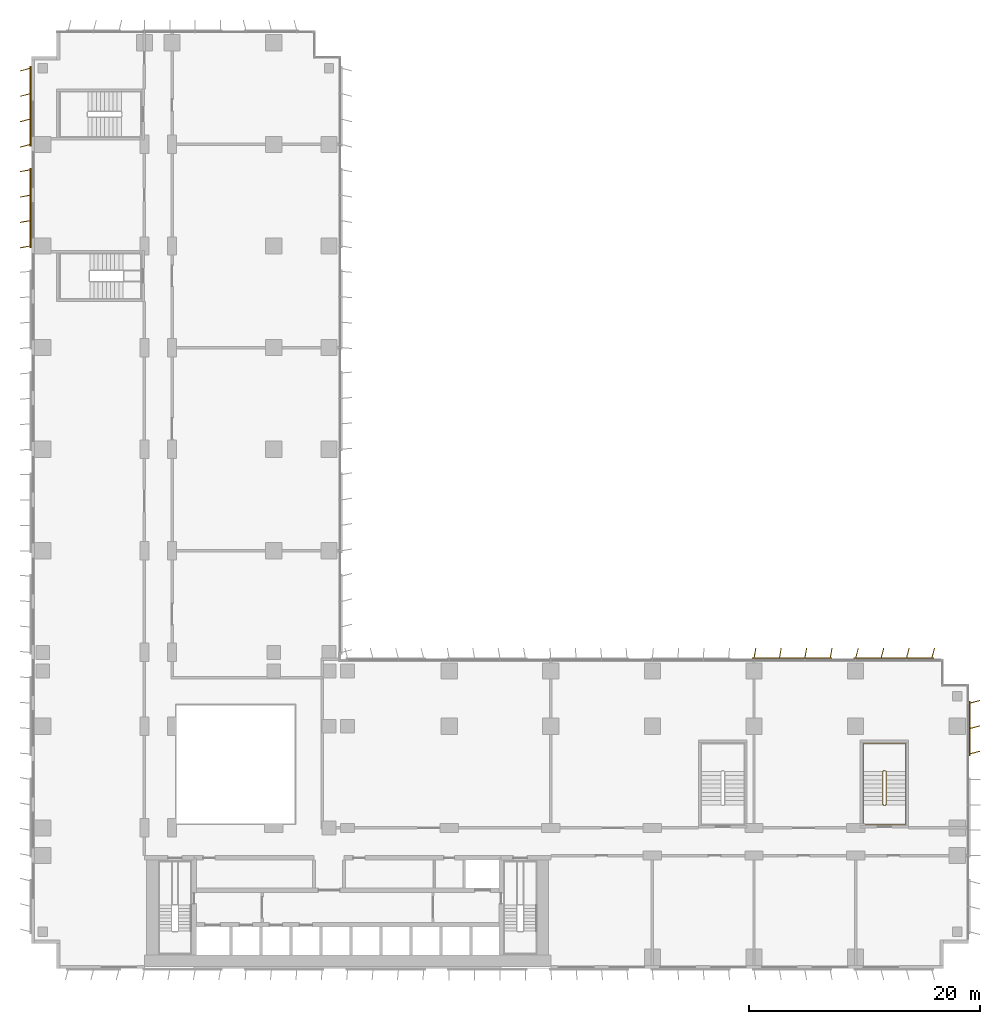
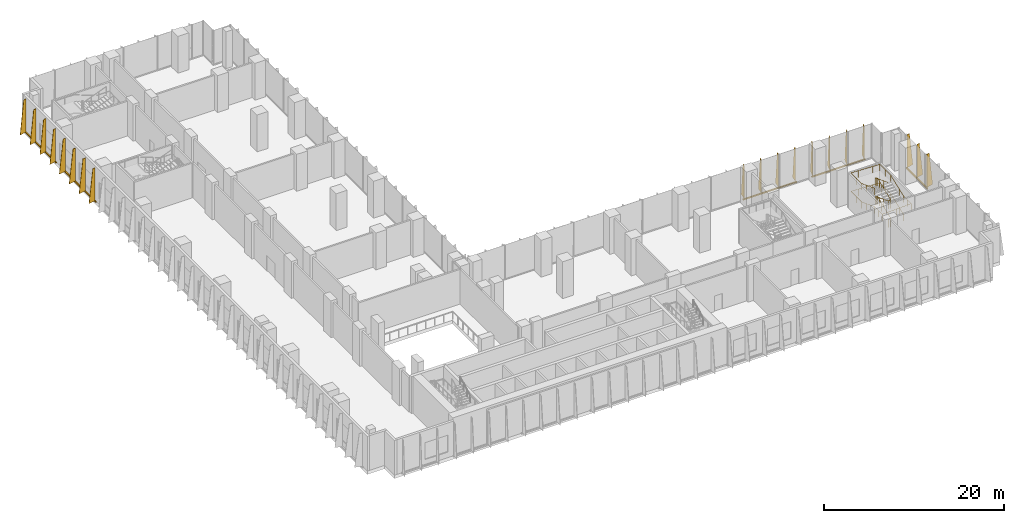
# One storey, part 22 of 23: 5 shading devices, 2 railings.
"""IFC4 building model written with IfcOpenShell, lengths in metres."""

import ifcopenshell
import ifcopenshell.guid

model = None  # the IFC model being written
_history = None  # IfcOwnerHistory: only IFC2X3 demands one
_inside = {}  # id of a spatial element -> (the spatial element, [elements in it])
_under = {}  # id of a project, library or spatial element -> (it, [spatial elements below it])
_declared = {}  # id of a project -> (the project, [libraries it declares])
_typed = {}  # id of a type object -> (the type object, [elements of that type])
_made_of = {}  # id of a material, layer set ... -> (it, [elements and type objects made of it])


def new_model(schema):
    """Start an empty IFC model of exactly this schema.

    Asked for "IFC4X3", IfcOpenShell would pick the latest addendum, in which some entities
    have other attributes; the version numbers below select the first issue.
    IFC2X3 requires an IfcOwnerHistory on every rooted entity: one is made here for all.
    """
    global model, _history
    if schema == "IFC4X3":
        model = ifcopenshell.file(schema_version=(4, 3, 0, 0))
    else:
        model = ifcopenshell.file(schema=schema)
    _inside.clear()
    _under.clear()
    _declared.clear()
    _typed.clear()
    _made_of.clear()
    _history = None
    if model.schema == "IFC2X3":
        org = make("IfcOrganization", Name="unknown")
        user = make(
            "IfcPersonAndOrganization",
            ThePerson=make("IfcPerson", FamilyName="unknown"),
            TheOrganization=org,
        )
        app = make(
            "IfcApplication",
            ApplicationDeveloper=org,
            Version="unknown",
            ApplicationFullName="unknown",
            ApplicationIdentifier="unknown",
        )
        _history = make(
            "IfcOwnerHistory",
            OwningUser=user,
            OwningApplication=app,
            ChangeAction="ADDED",
            CreationDate=0,
        )
    return model


def make(cls, **values):
    """One entity of the class cls with the attributes given. An attribute that is None is left unset."""
    return model.create_entity(
        cls, **{name: value for name, value in values.items() if value is not None}
    )


def rooted(cls, **values):
    """An entity with a GlobalId (a new one), such as an element, a storey or a relation."""
    return make(cls, GlobalId=ifcopenshell.guid.new(), OwnerHistory=_history, **values)


def si_unit(unit_type, name, prefix=None):
    """IfcSIUnit, for example si_unit("LENGTHUNIT", "METRE", prefix="MILLI")."""
    return make("IfcSIUnit", UnitType=unit_type, Prefix=prefix, Name=name)


def assignment(units):
    """IfcUnitAssignment: the units of a project."""
    return None if units is None else make("IfcUnitAssignment", Units=units)


def point(xyz):
    """IfcCartesianPoint."""
    return None if xyz is None else make("IfcCartesianPoint", Coordinates=xyz)


def direction(xyz):
    """IfcDirection."""
    return None if xyz is None else make("IfcDirection", DirectionRatios=xyz)


def frame(location, z_axis=None, x_axis=None):
    """IfcAxis2Placement3D, a coordinate frame: its origin and axes. An axis left out is left unset."""
    return make(
        "IfcAxis2Placement3D",
        Location=point(location),
        Axis=direction(z_axis),
        RefDirection=direction(x_axis),
    )


def frame_2d(location, x_axis=None):
    """IfcAxis2Placement2D, a coordinate frame in the plane: its origin and x axis."""
    return make(
        "IfcAxis2Placement2D", Location=point(location), RefDirection=direction(x_axis)
    )


def origin():
    """The frame at (0, 0, 0) with its axes left unset."""
    return frame((0.0, 0.0, 0.0))


def origin_2d():
    """The frame at (0, 0) in the plane with its x axis left unset."""
    return frame_2d((0.0, 0.0))


def place(relative_to, where):
    """IfcLocalPlacement: puts the frame where relative to a parent placement (None: the world)."""
    return make(
        "IfcLocalPlacement", PlacementRelTo=relative_to, RelativePlacement=where
    )


def context(
    kind, dimensions, precision=None, world=None, true_north=None, identifier=None
):
    """IfcGeometricRepresentationContext, for example the 3D "Model" context."""
    return make(
        "IfcGeometricRepresentationContext",
        ContextIdentifier=identifier,
        ContextType=kind,
        CoordinateSpaceDimension=dimensions,
        Precision=precision,
        WorldCoordinateSystem=world,
        TrueNorth=true_north,
    )


def subcontext(parent, identifier, kind, view, scale=None):
    """IfcGeometricRepresentationSubContext, for example "Body" below "Model"."""
    return make(
        "IfcGeometricRepresentationSubContext",
        ContextIdentifier=identifier,
        ContextType=kind,
        ParentContext=parent,
        TargetScale=scale,
        TargetView=view,
    )


def project(units=None, contexts=None):
    """IfcProject with its units and contexts."""
    return rooted(
        "IfcProject",
        Name="project",
        RepresentationContexts=contexts,
        UnitsInContext=assignment(units),
    )


def spatial(cls, under=None, at=None, **own):
    """A site, building, storey or space (cls), placed at a placement, below another one or the project."""
    s = rooted(cls, ObjectPlacement=at, **own)
    if under is not None:
        _under.setdefault(under.id(), (under, []))[1].append(s)
    return s


def polyline(points):
    """IfcPolyline through the points."""
    return make("IfcPolyline", Points=[point(p) for p in points])


def profile(cls, at=None, kind="AREA", **sizes):
    """A parametric profile (cls). Its sizes go by their IFC names, for example OverallWidth=200.0."""
    return make(cls, ProfileType=kind, Position=at, **sizes)


def rectangle(**sizes):
    """IfcRectangleProfileDef."""
    return profile("IfcRectangleProfileDef", **sizes)


def circle(**sizes):
    """IfcCircleProfileDef."""
    return profile("IfcCircleProfileDef", **sizes)


def outline(outer, holes=None, kind="AREA"):
    """IfcArbitraryClosedProfileDef: a profile drawn as a closed curve; with holes, ...WithVoids."""
    if holes is None:
        return make("IfcArbitraryClosedProfileDef", ProfileType=kind, OuterCurve=outer)
    return make(
        "IfcArbitraryProfileDefWithVoids",
        ProfileType=kind,
        OuterCurve=outer,
        InnerCurves=holes,
    )


def extrude(swept, where, along, depth):
    """IfcExtrudedAreaSolid: the profile swept, set in the frame where, extruded along a direction by depth."""
    return make(
        "IfcExtrudedAreaSolid",
        SweptArea=swept,
        Position=where,
        ExtrudedDirection=direction(along),
        Depth=depth,
    )


def shape(context_of_items, identifier, shape_type, items):
    """IfcShapeRepresentation: the items that make up one representation, for example the "Body"."""
    return make(
        "IfcShapeRepresentation",
        ContextOfItems=context_of_items,
        RepresentationIdentifier=identifier,
        RepresentationType=shape_type,
        Items=items,
    )


def source(mapping_origin, context_of_items, identifier, shape_type, items):
    """IfcRepresentationMap: a shape defined once, which mapped items show again and again."""
    return make(
        "IfcRepresentationMap",
        MappingOrigin=mapping_origin,
        MappedRepresentation=shape(context_of_items, identifier, shape_type, items),
    )


def transform(
    local_origin,
    x_axis=None,
    y_axis=None,
    z_axis=None,
    scale=None,
    scale2=None,
    scale3=None,
    uniform=True,
):
    """IfcCartesianTransformationOperator3D, or its non-uniform kind. x_axis, y_axis, z_axis: its Axis1, 2, 3."""
    if uniform:
        return make(
            "IfcCartesianTransformationOperator3D",
            Axis1=direction(x_axis),
            Axis2=direction(y_axis),
            LocalOrigin=point(local_origin),
            Scale=scale,
            Axis3=direction(z_axis),
        )
    return make(
        "IfcCartesianTransformationOperator3DnonUniform",
        Axis1=direction(x_axis),
        Axis2=direction(y_axis),
        LocalOrigin=point(local_origin),
        Scale=scale,
        Axis3=direction(z_axis),
        Scale2=scale2,
        Scale3=scale3,
    )


def mapped(mapping_source, mapping_target):
    """IfcMappedItem: shows the shape of a source again, moved by a transform."""
    return make(
        "IfcMappedItem", MappingSource=mapping_source, MappingTarget=mapping_target
    )


def material(Name=None, Category=None):
    """IfcMaterial."""
    return make("IfcMaterial", Name=Name, Category=Category)


def layer(
    of_material, thickness, ventilated=None, Name=None, Category=None, Priority=None
):
    """IfcMaterialLayer: one layer of a wall or slab, of a material (None: an air gap)."""
    return make(
        "IfcMaterialLayer",
        Material=of_material,
        LayerThickness=thickness,
        IsVentilated=ventilated,
        Name=Name,
        Category=Category,
        Priority=Priority,
    )


def layer_set(layers, Name=None):
    """IfcMaterialLayerSet."""
    return make("IfcMaterialLayerSet", MaterialLayers=layers, LayerSetName=Name)


def made_of(thing, what):
    """Note that an element or type object is made of a material, layer set ...; save() writes the relation."""
    if what is not None:
        _made_of.setdefault(what.id(), (what, []))[1].append(thing)
    return thing


def type_object(cls, material=None, **own):
    """A type object (cls), such as IfcWallType, which elements share."""
    return made_of(rooted(cls, **own), material)


def element(
    cls,
    number,
    at=None,
    inside=None,
    cuts=None,
    type_object=None,
    material=None,
    context=None,
    identifier="Body",
    shape_type=None,
    held_by="IfcProductDefinitionShape",
    body=None,
    shapes=None,
    **own,
):
    """One element of the class cls, such as IfcWall. Its Tag is "e" and its number.

    at: its placement. inside: the storey or other place that contains it. cuts: it is an
    opening in that element (IfcRelVoidsElement). A single representation is given by context,
    identifier, shape_type and body (its items); several are given by shapes. held_by: the class
    of the entity that holds the representations. save() writes the other relations.
    """
    e = rooted(cls, Tag="e%d" % number, ObjectPlacement=at, **own)
    if body is not None:
        shapes = [shape(context, identifier, shape_type, body)]
    if shapes is not None:
        e.Representation = make(held_by, Representations=shapes)
    if inside is not None:
        _inside.setdefault(inside.id(), (inside, []))[1].append(e)
    if cuts is not None:
        rooted(
            "IfcRelVoidsElement", RelatingBuildingElement=cuts, RelatedOpeningElement=e
        )
    if type_object is not None:
        _typed.setdefault(type_object.id(), (type_object, []))[1].append(e)
    return made_of(e, material)


def aggregate(whole, parts):
    """IfcRelAggregates: a whole, such as a stair, and the parts it consists of."""
    return rooted("IfcRelAggregates", RelatingObject=whole, RelatedObjects=parts)


def save(model, path):
    """Write the relations noted so far, then the file.

    IfcRelAggregates (storeys below a building ...), IfcRelContainedInSpatialStructure (elements
    in a storey), IfcRelDefinesByType, IfcRelAssociatesMaterial and IfcRelDeclares: one each for
    every whole, place, type object, material and project.
    """
    for whole, parts in _under.values():
        aggregate(whole, parts)
    for where, things in _inside.values():
        rooted(
            "IfcRelContainedInSpatialStructure",
            RelatedElements=things,
            RelatingStructure=where,
        )
    for kind, things in _typed.values():
        rooted("IfcRelDefinesByType", RelatedObjects=things, RelatingType=kind)
    for what, things in _made_of.values():
        rooted("IfcRelAssociatesMaterial", RelatedObjects=things, RelatingMaterial=what)
    for by, libraries in _declared.values():
        rooted("IfcRelDeclares", RelatingContext=by, RelatedDefinitions=libraries)
    model.write(path)


model = new_model("IFC4")

# Units and contexts
model_context = context("Model", 3, precision=1e-05, world=origin(), true_north=direction((0.0, 1.0)))
body_context = subcontext(model_context, "Body", "Model", "MODEL_VIEW")
ifc_project = project(units=[si_unit("LENGTHUNIT", "METRE"), si_unit("AREAUNIT", "SQUARE_METRE"), si_unit("VOLUMEUNIT", "CUBIC_METRE"), si_unit("PLANEANGLEUNIT", "RADIAN"), si_unit("MASSUNIT", "GRAM", prefix="KILO")], contexts=[model_context])

# Site, building, storey
site_placement = place(None, origin())
site = spatial("IfcSite", under=ifc_project, at=site_placement, CompositionType="ELEMENT")
building_placement = place(site_placement, origin())
building = spatial("IfcBuilding", under=site, at=building_placement, Name="Kemantara Hotel Tower", CompositionType="ELEMENT")
storey_placement = place(building_placement, frame((0.0, 0.0, 71.0)))
storey = spatial("IfcBuildingStorey", under=building, at=storey_placement, Name="L16", CompositionType="ELEMENT", Elevation=71.0)

# Railings
ifc_material_1 = material(Name="Stainless steel balustrade", Category="steel")
railing_type_1 = type_object("IfcRailingType", Name="Stair guard 1100 mm", PredefinedType="GUARDRAIL", material=ifc_material_1)
railing_1_placement = place(storey_placement, frame((73.75, 14.199951171875, 5.0)))
element("IfcRailing", 1, at=railing_1_placement, inside=storey, type_object=railing_type_1, Name="L16 ST5 stair guard 1", PredefinedType="GUARDRAIL", context=body_context, shape_type="SweptSolid", body=[
    extrude(circle(Radius=0.02392578125, at=origin_2d()), frame((0.0, 0.0, 1.076171875), z_axis=(0.0, 0.932982310422, -0.359922225543), x_axis=(-1.0, 0.0, 0.0)), (0.0, 0.0, 1.0), 3.0869140625),
    extrude(circle(Radius=0.02392578125, at=origin_2d()), frame((0.0, 2.880126953125, -0.03515625), z_axis=(0.321175406682, 0.319608697381, -0.891457592206), x_axis=(-0.705375805398, 0.708833529934, 0.0)), (0.0, 0.0, 1.0), 0.15576171875),
    extrude(circle(Radius=0.02392578125, at=origin_2d()), frame((0.050048828125, 2.929931640625, -0.173828125), z_axis=(1.0, 0.0, 0.0), x_axis=(0.0, 1.0, 0.0)), (0.0, 0.0, 1.0), 0.199951171875),
    extrude(circle(Radius=0.02392578125, at=origin_2d()), frame((0.25, 2.929931640625, -0.173828125), z_axis=(0.708833529934, -0.705375805398, 0.0), x_axis=(0.705375805398, 0.708833529934, 0.0)), (0.0, 0.0, 1.0), 0.070556640625),
    extrude(circle(Radius=0.02392578125, at=origin_2d()), frame((0.300048828125, 2.880126953125, -0.173828125), z_axis=(0.0, -0.932982310422, -0.359922225543), x_axis=(1.0, 0.0, 0.0)), (0.0, 0.0, 1.0), 3.0869140625),
    extrude(circle(Radius=0.02392578125, at=origin_2d()), frame((0.300048828125, 0.0, -1.28515625), z_axis=(-0.861032742868, -0.172374719031, -0.478444951847), x_axis=(0.196300278283, -0.98054382908, 0.0)), (0.0, 0.0, 1.0), 0.290283203125),
    extrude(circle(Radius=0.02392578125, at=origin_2d()), frame((0.050048828125, -0.050048828125, -1.423828125), z_axis=(1.0, 0.0, 0.0), x_axis=(0.0, 1.0, 0.0)), (0.0, 0.0, 1.0), 0.199951171875),
    extrude(circle(Radius=0.02392578125, at=origin_2d()), frame((0.25, -0.050048828125, -1.423828125), z_axis=(-0.98054382908, 0.196300278283, 0.0), x_axis=(-0.196300278283, -0.98054382908, 0.0)), (0.0, 0.0, 1.0), 0.2548828125),
    extrude(circle(Radius=0.02392578125, at=origin_2d()), frame((0.0, 0.0, -1.423828125), z_axis=(0.0, 0.932982310422, -0.359922225543), x_axis=(-1.0, 0.0, 0.0)), (0.0, 0.0, 1.0), 3.0869140625),
    extrude(circle(Radius=0.02392578125, at=origin_2d()), frame((0.0, 2.880126953125, -2.53515625), z_axis=(0.321175406682, 0.319608697381, -0.891457592206), x_axis=(-0.705375805398, 0.708833529934, 0.0)), (0.0, 0.0, 1.0), 0.15576171875),
    extrude(circle(Radius=0.02392578125, at=origin_2d()), frame((0.050048828125, 2.929931640625, -2.673828125), z_axis=(1.0, 0.0, 0.0), x_axis=(0.0, 1.0, 0.0)), (0.0, 0.0, 1.0), 0.199951171875),
    extrude(circle(Radius=0.02392578125, at=origin_2d()), frame((0.25, 2.929931640625, -2.673828125), z_axis=(0.708833529934, -0.705375805398, 0.0), x_axis=(0.705375805398, 0.708833529934, 0.0)), (0.0, 0.0, 1.0), 0.070556640625),
    extrude(circle(Radius=0.02392578125, at=origin_2d()), frame((0.300048828125, 2.880126953125, -2.673828125), z_axis=(0.0, -0.932982310422, -0.359922225543), x_axis=(1.0, 0.0, 0.0)), (0.0, 0.0, 1.0), 3.0869140625),
    extrude(circle(Radius=0.02392578125, at=origin_2d()), frame((0.300048828125, 0.0, -3.78515625), z_axis=(-0.321014310373, -0.321014310373, -0.891010451718), x_axis=(0.707106781187, -0.707106781187, 0.0)), (0.0, 0.0, 1.0), 0.156005859375),
    extrude(circle(Radius=0.02392578125, at=origin_2d()), frame((0.25, -0.050048828125, -3.923828125), z_axis=(-1.0, 0.0, 0.0), x_axis=(0.0, -1.0, 0.0)), (0.0, 0.0, 1.0), 0.199951171875),
    extrude(circle(Radius=0.02099609375, at=origin_2d()), origin(), (0.0, 0.0, 1.0), 1.052001953125),
    extrude(circle(Radius=0.02099609375, at=origin_2d()), frame((0.0, 0.9599609375, -0.370361328125)), (0.0, 0.0, 1.0), 1.052001953125),
    extrude(circle(Radius=0.02099609375, at=origin_2d()), frame((0.0, 1.920166015625, -0.74072265625)), (0.0, 0.0, 1.0), 1.052001953125),
    extrude(circle(Radius=0.02099609375, at=origin_2d()), frame((0.0, 2.880126953125, -1.111083984375)), (0.0, 0.0, 1.0), 1.052001953125),
    extrude(circle(Radius=0.02099609375, at=origin_2d()), frame((0.050048828125, 2.929931640625, -1.25)), (0.0, 0.0, 1.0), 1.052001953125),
    extrude(circle(Radius=0.02099609375, at=origin_2d()), frame((0.25, 2.929931640625, -1.25)), (0.0, 0.0, 1.0), 1.052001953125),
    extrude(circle(Radius=0.02099609375, at=origin_2d()), frame((0.300048828125, 2.880126953125, -1.25)), (0.0, 0.0, 1.0), 1.052001953125),
    extrude(circle(Radius=0.02099609375, at=origin_2d()), frame((0.300048828125, 1.920166015625, -1.620361328125)), (0.0, 0.0, 1.0), 1.052001953125),
    extrude(circle(Radius=0.02099609375, at=origin_2d()), frame((0.300048828125, 0.9599609375, -1.99072265625)), (0.0, 0.0, 1.0), 1.052001953125),
    extrude(circle(Radius=0.02099609375, at=origin_2d()), frame((0.300048828125, 0.0, -2.361083984375)), (0.0, 0.0, 1.0), 1.052001953125),
    extrude(circle(Radius=0.02099609375, at=origin_2d()), frame((0.050048828125, -0.050048828125, -2.5)), (0.0, 0.0, 1.0), 1.052001953125),
    extrude(circle(Radius=0.02099609375, at=origin_2d()), frame((0.25, -0.050048828125, -2.5)), (0.0, 0.0, 1.0), 1.052001953125),
    extrude(circle(Radius=0.02099609375, at=origin_2d()), frame((0.0, 0.0, -2.5)), (0.0, 0.0, 1.0), 1.052001953125),
    extrude(circle(Radius=0.02099609375, at=origin_2d()), frame((0.0, 0.9599609375, -2.870361328125)), (0.0, 0.0, 1.0), 1.052001953125),
    extrude(circle(Radius=0.02099609375, at=origin_2d()), frame((0.0, 1.920166015625, -3.24072265625)), (0.0, 0.0, 1.0), 1.052001953125),
    extrude(circle(Radius=0.02099609375, at=origin_2d()), frame((0.0, 2.880126953125, -3.611083984375)), (0.0, 0.0, 1.0), 1.052001953125),
    extrude(circle(Radius=0.02099609375, at=origin_2d()), frame((0.050048828125, 2.929931640625, -3.75)), (0.0, 0.0, 1.0), 1.052001953125),
    extrude(circle(Radius=0.02099609375, at=origin_2d()), frame((0.25, 2.929931640625, -3.75)), (0.0, 0.0, 1.0), 1.052001953125),
    extrude(circle(Radius=0.02099609375, at=origin_2d()), frame((0.300048828125, 2.880126953125, -3.75)), (0.0, 0.0, 1.0), 1.052001953125),
    extrude(circle(Radius=0.02099609375, at=origin_2d()), frame((0.300048828125, 1.920166015625, -4.120361328125)), (0.0, 0.0, 1.0), 1.052001953125),
    extrude(circle(Radius=0.02099609375, at=origin_2d()), frame((0.300048828125, 0.9599609375, -4.49072265625)), (0.0, 0.0, 1.0), 1.052001953125),
    extrude(circle(Radius=0.02099609375, at=origin_2d()), frame((0.300048828125, 0.0, -4.861083984375)), (0.0, 0.0, 1.0), 1.052001953125),
    extrude(circle(Radius=0.02099609375, at=origin_2d()), frame((0.25, -0.050048828125, -5.0)), (0.0, 0.0, 1.0), 1.052001953125),
    extrude(circle(Radius=0.02099609375, at=origin_2d()), frame((0.050048828125, -0.050048828125, -5.0)), (0.0, 0.0, 1.0), 1.052001953125),
])
railing_type_2 = type_object("IfcRailingType", Name="Stair handrail 900 mm", PredefinedType="HANDRAIL", material=ifc_material_1)
railing_2_placement = place(storey_placement, frame((75.75, 14.199951171875, 0.138916015625)))
element("IfcRailing", 2, at=railing_2_placement, inside=storey, type_object=railing_type_2, Name="L16 ST5 stair handrail 1", PredefinedType="HANDRAIL", context=body_context, shape_type="SweptSolid", body=[
    extrude(circle(Radius=0.02392578125, at=origin_2d()), frame((0.0, 0.0, 0.8759765625), z_axis=(0.0, 0.932982310422, 0.359922225543), x_axis=(-1.0, 0.0, 0.0)), (0.0, 0.0, 1.0), 3.0869140625),
    extrude(circle(Radius=0.02392578125, at=origin_2d()), frame((0.0, 2.880126953125, 1.98681640625), z_axis=(0.0, 1.0, 0.0), x_axis=(-1.0, 0.0, 0.0)), (0.0, 0.0, 1.0), 2.39990234375),
    extrude(circle(Radius=0.02392578125, at=origin_2d()), frame((0.0, 5.280029296875, 1.98681640625), z_axis=(-0.999295917098, 0.0, 0.037518929517), x_axis=(0.0, -1.0, 0.0)), (0.0, 0.0, 1.0), 3.70263671875),
    extrude(circle(Radius=0.02392578125, at=origin_2d()), frame((-3.699951171875, 5.280029296875, 2.1259765625), z_axis=(0.0, -1.0, 0.0), x_axis=(1.0, 0.0, 0.0)), (0.0, 0.0, 1.0), 2.39990234375),
    extrude(circle(Radius=0.02392578125, at=origin_2d()), frame((-3.699951171875, 2.880126953125, 2.1259765625), z_axis=(0.0, -0.932982310422, 0.359922225543), x_axis=(1.0, 0.0, 0.0)), (0.0, 0.0, 1.0), 3.0869140625),
    extrude(circle(Radius=0.02392578125, at=origin_2d()), frame((-3.699951171875, 0.0, 3.23681640625), z_axis=(0.0, -1.0, 0.0), x_axis=(1.0, 0.0, 0.0)), (0.0, 0.0, 1.0), 1.679931640625),
    extrude(circle(Radius=0.02392578125, at=origin_2d()), frame((-3.699951171875, -1.679931640625, 3.23681640625), z_axis=(0.999295917098, 0.0, 0.037518929517), x_axis=(0.0, 1.0, 0.0)), (0.0, 0.0, 1.0), 3.70263671875),
    extrude(circle(Radius=0.02392578125, at=origin_2d()), frame((0.0, -1.679931640625, 3.3759765625), z_axis=(0.0, 1.0, 0.0), x_axis=(-1.0, 0.0, 0.0)), (0.0, 0.0, 1.0), 1.679931640625),
    extrude(circle(Radius=0.02392578125, at=origin_2d()), frame((0.0, 0.0, 3.3759765625), z_axis=(0.0, 0.932982310422, 0.359922225543), x_axis=(-1.0, 0.0, 0.0)), (0.0, 0.0, 1.0), 3.0869140625),
    extrude(circle(Radius=0.02392578125, at=origin_2d()), frame((0.0, 2.880126953125, 4.48681640625), z_axis=(0.0, 1.0, 0.0), x_axis=(-1.0, 0.0, 0.0)), (0.0, 0.0, 1.0), 2.39990234375),
    extrude(circle(Radius=0.02392578125, at=origin_2d()), frame((0.0, 5.280029296875, 4.48681640625), z_axis=(-0.999295917098, 0.0, 0.037518929517), x_axis=(0.0, -1.0, 0.0)), (0.0, 0.0, 1.0), 3.70263671875),
    extrude(circle(Radius=0.02392578125, at=origin_2d()), frame((-3.699951171875, 5.280029296875, 4.6259765625), z_axis=(0.0, -1.0, 0.0), x_axis=(1.0, 0.0, 0.0)), (0.0, 0.0, 1.0), 2.39990234375),
    extrude(circle(Radius=0.02392578125, at=origin_2d()), frame((-3.699951171875, 2.880126953125, 4.6259765625), z_axis=(0.0, -0.932982310422, 0.359922225543), x_axis=(1.0, 0.0, 0.0)), (0.0, 0.0, 1.0), 3.0869140625),
    extrude(circle(Radius=0.02099609375, at=origin_2d()), origin(), (0.0, 0.0, 1.0), 0.851806640625),
    extrude(circle(Radius=0.02099609375, at=origin_2d()), frame((0.0, 0.9599609375, 0.370361328125)), (0.0, 0.0, 1.0), 0.851806640625),
    extrude(circle(Radius=0.02099609375, at=origin_2d()), frame((0.0, 1.920166015625, 0.74072265625)), (0.0, 0.0, 1.0), 0.851806640625),
    extrude(circle(Radius=0.02099609375, at=origin_2d()), frame((0.0, 2.880126953125, 1.111083984375)), (0.0, 0.0, 1.0), 0.851806640625),
    extrude(circle(Radius=0.02099609375, at=origin_2d()), frame((0.0, 4.080078125, 1.111083984375)), (0.0, 0.0, 1.0), 0.851806640625),
    extrude(circle(Radius=0.02099609375, at=origin_2d()), frame((0.0, 5.280029296875, 1.111083984375)), (0.0, 0.0, 1.0), 0.851806640625),
    extrude(circle(Radius=0.02099609375, at=origin_2d()), frame((-0.925048828125, 5.280029296875, 1.145751953125)), (0.0, 0.0, 1.0), 0.851806640625),
    extrude(circle(Radius=0.02099609375, at=origin_2d()), frame((-1.85009765625, 5.280029296875, 1.1806640625)), (0.0, 0.0, 1.0), 0.851806640625),
    extrude(circle(Radius=0.02099609375, at=origin_2d()), frame((-2.77490234375, 5.280029296875, 1.21533203125)), (0.0, 0.0, 1.0), 0.851806640625),
    extrude(circle(Radius=0.02099609375, at=origin_2d()), frame((-3.699951171875, 5.280029296875, 1.25)), (0.0, 0.0, 1.0), 0.851806640625),
    extrude(circle(Radius=0.02099609375, at=origin_2d()), frame((-3.699951171875, 4.080078125, 1.25)), (0.0, 0.0, 1.0), 0.851806640625),
    extrude(circle(Radius=0.02099609375, at=origin_2d()), frame((-3.699951171875, 2.880126953125, 1.25)), (0.0, 0.0, 1.0), 0.851806640625),
    extrude(circle(Radius=0.02099609375, at=origin_2d()), frame((-3.699951171875, 1.920166015625, 1.620361328125)), (0.0, 0.0, 1.0), 0.851806640625),
    extrude(circle(Radius=0.02099609375, at=origin_2d()), frame((-3.699951171875, 0.9599609375, 1.99072265625)), (0.0, 0.0, 1.0), 0.851806640625),
    extrude(circle(Radius=0.02099609375, at=origin_2d()), frame((-3.699951171875, 0.0, 2.361083984375)), (0.0, 0.0, 1.0), 0.851806640625),
    extrude(circle(Radius=0.02099609375, at=origin_2d()), frame((-3.699951171875, -0.83984375, 2.361083984375)), (0.0, 0.0, 1.0), 0.851806640625),
    extrude(circle(Radius=0.02099609375, at=origin_2d()), frame((-3.699951171875, -1.679931640625, 2.361083984375)), (0.0, 0.0, 1.0), 0.851806640625),
    extrude(circle(Radius=0.02099609375, at=origin_2d()), frame((-2.77490234375, -1.679931640625, 2.395751953125)), (0.0, 0.0, 1.0), 0.851806640625),
    extrude(circle(Radius=0.02099609375, at=origin_2d()), frame((-1.85009765625, -1.679931640625, 2.4306640625)), (0.0, 0.0, 1.0), 0.851806640625),
    extrude(circle(Radius=0.02099609375, at=origin_2d()), frame((-0.925048828125, -1.679931640625, 2.46533203125)), (0.0, 0.0, 1.0), 0.851806640625),
    extrude(circle(Radius=0.02099609375, at=origin_2d()), frame((0.0, -1.679931640625, 2.5)), (0.0, 0.0, 1.0), 0.851806640625),
    extrude(circle(Radius=0.02099609375, at=origin_2d()), frame((0.0, -0.83984375, 2.5)), (0.0, 0.0, 1.0), 0.851806640625),
    extrude(circle(Radius=0.02099609375, at=origin_2d()), frame((0.0, 0.0, 2.5)), (0.0, 0.0, 1.0), 0.851806640625),
    extrude(circle(Radius=0.02099609375, at=origin_2d()), frame((0.0, 0.9599609375, 2.870361328125)), (0.0, 0.0, 1.0), 0.851806640625),
    extrude(circle(Radius=0.02099609375, at=origin_2d()), frame((0.0, 1.920166015625, 3.24072265625)), (0.0, 0.0, 1.0), 0.851806640625),
    extrude(circle(Radius=0.02099609375, at=origin_2d()), frame((0.0, 2.880126953125, 3.611083984375)), (0.0, 0.0, 1.0), 0.851806640625),
    extrude(circle(Radius=0.02099609375, at=origin_2d()), frame((0.0, 4.080078125, 3.611083984375)), (0.0, 0.0, 1.0), 0.851806640625),
    extrude(circle(Radius=0.02099609375, at=origin_2d()), frame((0.0, 5.280029296875, 3.611083984375)), (0.0, 0.0, 1.0), 0.851806640625),
    extrude(circle(Radius=0.02099609375, at=origin_2d()), frame((-0.925048828125, 5.280029296875, 3.645751953125)), (0.0, 0.0, 1.0), 0.851806640625),
    extrude(circle(Radius=0.02099609375, at=origin_2d()), frame((-1.85009765625, 5.280029296875, 3.6806640625)), (0.0, 0.0, 1.0), 0.851806640625),
    extrude(circle(Radius=0.02099609375, at=origin_2d()), frame((-2.77490234375, 5.280029296875, 3.71533203125)), (0.0, 0.0, 1.0), 0.851806640625),
    extrude(circle(Radius=0.02099609375, at=origin_2d()), frame((-3.699951171875, 5.280029296875, 3.75)), (0.0, 0.0, 1.0), 0.851806640625),
    extrude(circle(Radius=0.02099609375, at=origin_2d()), frame((-3.699951171875, 4.080078125, 3.75)), (0.0, 0.0, 1.0), 0.851806640625),
    extrude(circle(Radius=0.02099609375, at=origin_2d()), frame((-3.699951171875, 2.880126953125, 3.75)), (0.0, 0.0, 1.0), 0.851806640625),
    extrude(circle(Radius=0.02099609375, at=origin_2d()), frame((-3.699951171875, 1.920166015625, 4.120361328125)), (0.0, 0.0, 1.0), 0.851806640625),
    extrude(circle(Radius=0.02099609375, at=origin_2d()), frame((-3.699951171875, 0.9599609375, 4.49072265625)), (0.0, 0.0, 1.0), 0.851806640625),
    extrude(circle(Radius=0.02099609375, at=origin_2d()), frame((-3.699951171875, 0.0, 4.861083984375)), (0.0, 0.0, 1.0), 0.851806640625),
])

# Shading devices
ifc_material_2 = material(Name="Perforated aluminium plate 4 mm bronze anodised", Category="aluminium")
ifc_layer_1 = layer(ifc_material_2, 0.0400390625)
ifc_layer_set_1 = layer_set([ifc_layer_1], Name="Perforated aluminium plate 4 mm bronze anodised")
shading_device_type_1 = type_object("IfcShadingDeviceType", Name="SCREEN FIN CASSETTE, 4 BLADES AT -10.0 DEG, 4500 HIGH", PredefinedType="USERDEFINED", material=ifc_layer_set_1)
shared_shape_1 = source(origin(), body_context, "Body", "SweptSolid", [
    extrude(rectangle(XDim=6.89990234375, YDim=0.14990234375, at=origin_2d()), frame((3.300048828125, -0.074951171875, -0.14990234375), z_axis=(0.0, 0.0, 1.0), x_axis=(1.0, 0.0, 0.0)), (0.0, 0.0, 1.0), 0.14990234375),
    extrude(outline(polyline([(0.0, 0.0), (0.89990234375, 0.0), (0.35009765625, 4.5), (0.0, 4.5), (0.0, 0.0)])), frame((0.019775390625, -0.078369140625, 0.0), z_axis=(-0.985389793052, 0.170314285219, 0.0), x_axis=(-0.170314285219, -0.985389793052, 0.0)), (0.0, 0.0, 1.0), 0.0400390625),
    extrude(outline(polyline([(0.0, 0.0), (0.89990234375, 0.0), (0.35009765625, 4.5), (0.0, 4.5), (0.0, 0.0)])), frame((2.2197265625, -0.078369140625, 0.0), z_axis=(-0.98521175482, 0.171341174751, 0.0), x_axis=(-0.171341174751, -0.98521175482, 0.0)), (0.0, 0.0, 1.0), 0.039794921875),
    extrude(outline(polyline([(0.0, 0.0), (0.89990234375, 0.0), (0.35009765625, 4.5), (0.0, 4.5), (0.0, 0.0)])), frame((4.419677734375, -0.078369140625, 0.0), z_axis=(-0.98521175482, 0.171341174751, 0.0), x_axis=(-0.171341174751, -0.98521175482, 0.0)), (0.0, 0.0, 1.0), 0.039794921875),
    extrude(outline(polyline([(0.0, 0.0), (0.89990234375, 0.0), (0.35009765625, 4.5), (0.0, 4.5), (0.0, 0.0)])), frame((6.61962890625, -0.078369140625, 0.0), z_axis=(-0.98521175482, 0.171341174751, 0.0), x_axis=(-0.171341174751, -0.98521175482, 0.0)), (0.0, 0.0, 1.0), 0.039794921875),
])
shading_device_1_placement = place(storey_placement, frame((69.199951171875, 26.800048828125, 0.10009765625), z_axis=(0.0, 0.0, 1.0), x_axis=(-1.0, 0.0, 0.0)))
element("IfcShadingDevice", 3, at=shading_device_1_placement, inside=storey, type_object=shading_device_type_1, Name="SCREEN FIN CASSETTE L16 T1-R07-2", ObjectType="SCREEN FIN", PredefinedType="USERDEFINED", context=body_context, shape_type="MappedRepresentation", body=[
    mapped(shared_shape_1, transform((0.0, 0.0, 0.0))),
])
ifc_layer_2 = layer(ifc_material_2, 0.0400390625)
ifc_layer_set_2 = layer_set([ifc_layer_2], Name="Perforated aluminium plate 4 mm bronze anodised")
shading_device_type_2 = type_object("IfcShadingDeviceType", Name="SCREEN FIN CASSETTE, 4 BLADES AT +10.0 DEG, 4500 HIGH", PredefinedType="USERDEFINED", material=ifc_layer_set_2)
shared_shape_2 = source(origin(), body_context, "Body", "SweptSolid", [
    extrude(rectangle(XDim=6.89990234375, YDim=0.14990234375, at=origin_2d()), frame((3.300048828125, -0.074951171875, -0.14990234375), z_axis=(0.0, 0.0, 1.0), x_axis=(1.0, 0.0, 0.0)), (0.0, 0.0, 1.0), 0.14990234375),
    extrude(outline(polyline([(0.0, 0.0), (0.89990234375, 0.0), (0.35009765625, 4.5), (0.0, 4.5), (0.0, 0.0)])), frame((0.019775390625, -0.071533203125, 0.0), z_axis=(-0.985389793052, -0.170314285219, 0.0), x_axis=(0.170314285219, -0.985389793052, 0.0)), (0.0, 0.0, 1.0), 0.0400390625),
    extrude(outline(polyline([(0.0, 0.0), (0.89990234375, 0.0), (0.35009765625, 4.5), (0.0, 4.5), (0.0, 0.0)])), frame((2.2197265625, -0.071533203125, 0.0), z_axis=(-0.98521175482, -0.171341174751, 0.0), x_axis=(0.171341174751, -0.98521175482, 0.0)), (0.0, 0.0, 1.0), 0.039794921875),
    extrude(outline(polyline([(0.0, 0.0), (0.89990234375, 0.0), (0.35009765625, 4.5), (0.0, 4.5), (0.0, 0.0)])), frame((4.419677734375, -0.071533203125, 0.0), z_axis=(-0.98521175482, -0.171341174751, 0.0), x_axis=(0.171341174751, -0.98521175482, 0.0)), (0.0, 0.0, 1.0), 0.039794921875),
    extrude(outline(polyline([(0.0, 0.0), (0.89990234375, 0.0), (0.35009765625, 4.5), (0.0, 4.5), (0.0, 0.0)])), frame((6.61962890625, -0.071533203125, 0.0), z_axis=(-0.98521175482, -0.171341174751, 0.0), x_axis=(0.171341174751, -0.98521175482, 0.0)), (0.0, 0.0, 1.0), 0.039794921875),
])
shading_device_2_placement = place(storey_placement, frame((0.0, 69.199951171875, 0.10009765625), z_axis=(0.0, 0.0, 1.0), x_axis=(0.0, -1.0, 0.0)))
element("IfcShadingDevice", 4, at=shading_device_2_placement, inside=storey, type_object=shading_device_type_2, Name="SCREEN FIN CASSETTE L16 T1-R14-2", ObjectType="SCREEN FIN", PredefinedType="USERDEFINED", context=body_context, shape_type="MappedRepresentation", body=[
    mapped(shared_shape_2, transform((0.0, 0.0, 0.0))),
])
ifc_layer_3 = layer(ifc_material_2, 0.0400390625)
ifc_layer_set_3 = layer_set([ifc_layer_3], Name="Perforated aluminium plate 4 mm bronze anodised")
shading_device_type_3 = type_object("IfcShadingDeviceType", Name="SCREEN FIN CASSETTE, 4 BLADES AT +15.0 DEG, 4500 HIGH", PredefinedType="USERDEFINED", material=ifc_layer_set_3)
shared_shape_3 = source(origin(), body_context, "Body", "SweptSolid", [
    extrude(rectangle(XDim=6.89990234375, YDim=0.14990234375, at=origin_2d()), frame((3.300048828125, -0.074951171875, -0.14990234375), z_axis=(0.0, 0.0, 1.0), x_axis=(1.0, 0.0, 0.0)), (0.0, 0.0, 1.0), 0.14990234375),
    extrude(outline(polyline([(0.0, 0.0), (0.89990234375, 0.0), (0.35009765625, 4.5), (0.0, 4.5), (0.0, 0.0)])), frame((0.019287109375, -0.06982421875, 0.0), z_axis=(-0.966437683387, -0.256901156343, 0.0), x_axis=(0.256901156343, -0.966437683387, 0.0)), (0.0, 0.0, 1.0), 0.039794921875),
    extrude(outline(polyline([(0.0, 0.0), (0.89990234375, 0.0), (0.35009765625, 4.5), (0.0, 4.5), (0.0, 0.0)])), frame((2.21923828125, -0.06982421875, 0.0), z_axis=(-0.966437683387, -0.256901156343, 0.0), x_axis=(0.256901156343, -0.966437683387, 0.0)), (0.0, 0.0, 1.0), 0.039794921875),
    extrude(outline(polyline([(0.0, 0.0), (0.89990234375, 0.0), (0.35009765625, 4.5), (0.0, 4.5), (0.0, 0.0)])), frame((4.41943359375, -0.06982421875, 0.0), z_axis=(-0.966837822169, -0.255391122837, 0.0), x_axis=(0.255391122837, -0.966837822169, 0.0)), (0.0, 0.0, 1.0), 0.0400390625),
    extrude(outline(polyline([(0.0, 0.0), (0.89990234375, 0.0), (0.35009765625, 4.5), (0.0, 4.5), (0.0, 0.0)])), frame((6.619384765625, -0.06982421875, 0.0), z_axis=(-0.966837822169, -0.255391122837, 0.0), x_axis=(0.255391122837, -0.966837822169, 0.0)), (0.0, 0.0, 1.0), 0.0400390625),
])
shading_device_3_placement = place(storey_placement, frame((0.0, 78.0, 0.10009765625), z_axis=(0.0, 0.0, 1.0), x_axis=(0.0, -1.0, 0.0)))
element("IfcShadingDevice", 5, at=shading_device_3_placement, inside=storey, type_object=shading_device_type_3, Name="SCREEN FIN CASSETTE L16 T1-R14-1", ObjectType="SCREEN FIN", PredefinedType="USERDEFINED", context=body_context, shape_type="MappedRepresentation", body=[
    mapped(shared_shape_3, transform((0.0, 0.0, 0.0))),
])
ifc_layer_4 = layer(ifc_material_2, 0.0400390625)
ifc_layer_set_4 = layer_set([ifc_layer_4], Name="Perforated aluminium plate 4 mm bronze anodised")
shading_device_type_4 = type_object("IfcShadingDeviceType", Name="SCREEN FIN CASSETTE, 3 BLADES AT +15.0 DEG, 4500 HIGH", PredefinedType="USERDEFINED", material=ifc_layer_set_4)
shared_shape_4 = source(origin(), body_context, "Body", "SweptSolid", [
    extrude(rectangle(XDim=4.699951171875, YDim=0.14990234375, at=origin_2d()), frame((2.199951171875, -0.074951171875, -0.14990234375), z_axis=(0.0, 0.0, 1.0), x_axis=(1.0, 0.0, 0.0)), (0.0, 0.0, 1.0), 0.14990234375),
    extrude(outline(polyline([(0.0, 0.0), (0.89990234375, 0.0), (0.35009765625, 4.5), (0.0, 4.5), (0.0, 0.0)])), frame((0.019287109375, -0.06982421875, 0.0), z_axis=(-0.966437683387, -0.256901156343, 0.0), x_axis=(0.256901156343, -0.966437683387, 0.0)), (0.0, 0.0, 1.0), 0.039794921875),
    extrude(outline(polyline([(0.0, 0.0), (0.89990234375, 0.0), (0.35009765625, 4.5), (0.0, 4.5), (0.0, 0.0)])), frame((2.21923828125, -0.06982421875, 0.0), z_axis=(-0.966437683387, -0.256901156343, 0.0), x_axis=(0.256901156343, -0.966437683387, 0.0)), (0.0, 0.0, 1.0), 0.039794921875),
    extrude(outline(polyline([(0.0, 0.0), (0.89990234375, 0.0), (0.35009765625, 4.5), (0.0, 4.5), (0.0, 0.0)])), frame((4.41943359375, -0.06982421875, 0.0), z_axis=(-0.966837822169, -0.255391122837, 0.0), x_axis=(0.255391122837, -0.966837822169, 0.0)), (0.0, 0.0, 1.0), 0.0400390625),
])
shading_device_4_placement = place(storey_placement, frame((81.199951171875, 18.60009765625, 0.10009765625), z_axis=(0.0, 0.0, 1.0), x_axis=(0.0, 1.0, 0.0)))
element("IfcShadingDevice", 6, at=shading_device_4_placement, inside=storey, type_object=shading_device_type_4, Name="SCREEN FIN CASSETTE L16 T1-R04-3", ObjectType="SCREEN FIN", PredefinedType="USERDEFINED", context=body_context, shape_type="MappedRepresentation", body=[
    mapped(shared_shape_4, transform((0.0, 0.0, 0.0))),
])
ifc_layer_5 = layer(ifc_material_2, 0.0400390625)
ifc_layer_set_5 = layer_set([ifc_layer_5], Name="Perforated aluminium plate 4 mm bronze anodised")
shading_device_type_5 = type_object("IfcShadingDeviceType", Name="SCREEN FIN CASSETTE, 4 BLADES AT -15.0 DEG, 4500 HIGH", PredefinedType="USERDEFINED", material=ifc_layer_set_5)
shared_shape_5 = source(origin(), body_context, "Body", "SweptSolid", [
    extrude(rectangle(XDim=6.89990234375, YDim=0.14990234375, at=origin_2d()), frame((3.300048828125, -0.074951171875, -0.14990234375), z_axis=(0.0, 0.0, 1.0), x_axis=(1.0, 0.0, 0.0)), (0.0, 0.0, 1.0), 0.14990234375),
    extrude(outline(polyline([(0.0, 0.0), (0.89990234375, 0.0), (0.35009765625, 4.5), (0.0, 4.5), (0.0, 0.0)])), frame((0.019287109375, -0.080078125, 0.0), z_axis=(-0.966437683387, 0.256901156343, 0.0), x_axis=(-0.256901156343, -0.966437683387, 0.0)), (0.0, 0.0, 1.0), 0.039794921875),
    extrude(outline(polyline([(0.0, 0.0), (0.89990234375, 0.0), (0.35009765625, 4.5), (0.0, 4.5), (0.0, 0.0)])), frame((2.21923828125, -0.080078125, 0.0), z_axis=(-0.966437683387, 0.256901156343, 0.0), x_axis=(-0.256901156343, -0.966437683387, 0.0)), (0.0, 0.0, 1.0), 0.039794921875),
    extrude(outline(polyline([(0.0, 0.0), (0.89990234375, 0.0), (0.35009765625, 4.5), (0.0, 4.5), (0.0, 0.0)])), frame((4.41943359375, -0.080078125, 0.0), z_axis=(-0.966837822169, 0.255391122837, 0.0), x_axis=(-0.255391122837, -0.966837822169, 0.0)), (0.0, 0.0, 1.0), 0.0400390625),
    extrude(outline(polyline([(0.0, 0.0), (0.89990234375, 0.0), (0.35009765625, 4.5), (0.0, 4.5), (0.0, 0.0)])), frame((6.619384765625, -0.080078125, 0.0), z_axis=(-0.966837822169, 0.255391122837, 0.0), x_axis=(-0.255391122837, -0.966837822169, 0.0)), (0.0, 0.0, 1.0), 0.0400390625),
])
shading_device_5_placement = place(storey_placement, frame((78.0, 26.800048828125, 0.10009765625), z_axis=(0.0, 0.0, 1.0), x_axis=(-1.0, 0.0, 0.0)))
element("IfcShadingDevice", 7, at=shading_device_5_placement, inside=storey, type_object=shading_device_type_5, Name="SCREEN FIN CASSETTE L16 T1-R07-1", ObjectType="SCREEN FIN", PredefinedType="USERDEFINED", context=body_context, shape_type="MappedRepresentation", body=[
    mapped(shared_shape_5, transform((0.0, 0.0, 0.0))),
])

save(model, "model.ifc")
